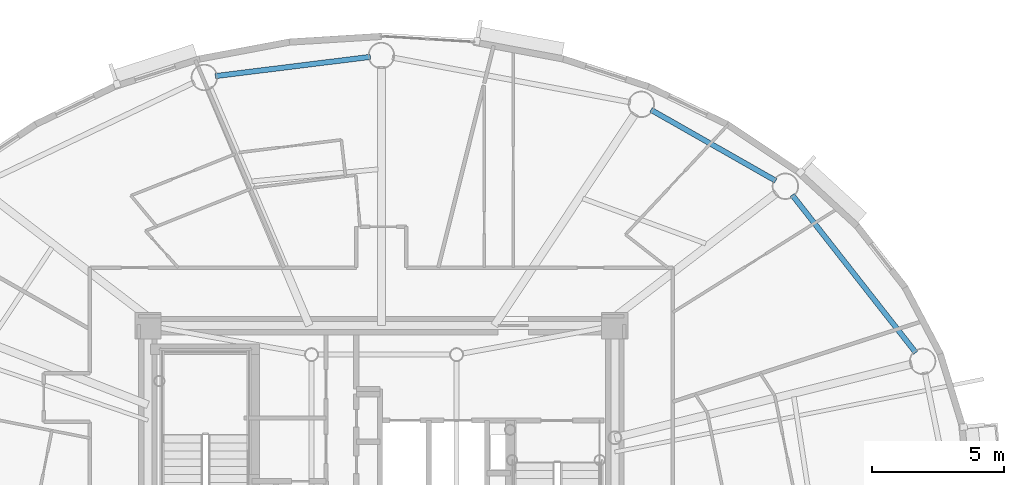
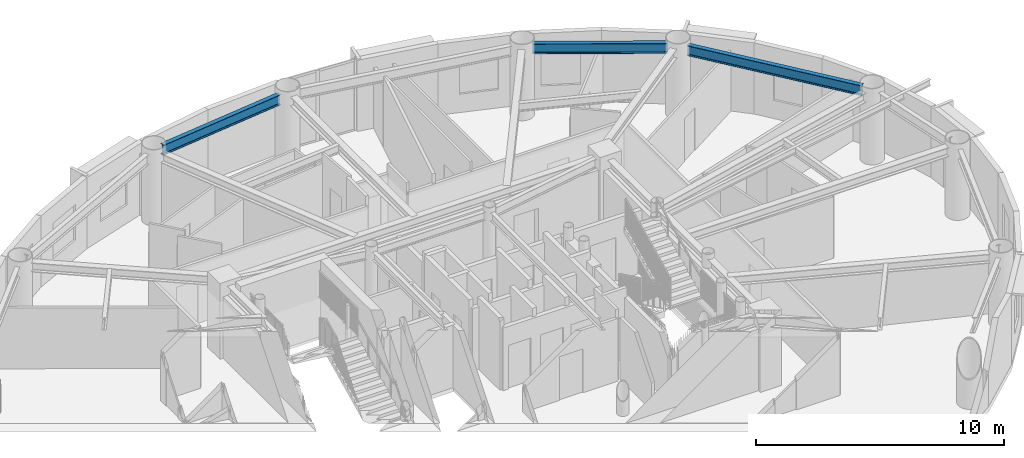
# One storey, part 3 of 17: 3 beams.
"""IFC4 building model written with IfcOpenShell, lengths in metres."""

from ifc_helpers import new_model, si_unit, direction, frame, origin, origin_2d, place, context, subcontext, project, spatial, i_section, extrude, material, material_profile, profile_set, type_object, element, save


model = new_model("IFC4")

# Units and contexts
model_context = context("Model", 3, precision=1e-05, world=origin(), true_north=direction((0.0, 1.0)))
body_context = subcontext(model_context, "Body", "Model", "MODEL_VIEW")
ifc_project = project(units=[si_unit("LENGTHUNIT", "METRE"), si_unit("AREAUNIT", "SQUARE_METRE"), si_unit("VOLUMEUNIT", "CUBIC_METRE"), si_unit("PLANEANGLEUNIT", "RADIAN"), si_unit("MASSUNIT", "GRAM", prefix="KILO")], contexts=[model_context])

# Site, building, storey
site_placement = place(None, origin())
site = spatial("IfcSite", under=ifc_project, at=site_placement, CompositionType="ELEMENT")
building_placement = place(site_placement, origin())
building = spatial("IfcBuilding", under=site, at=building_placement, Name="Linh Dai School and Residence Tower", CompositionType="ELEMENT")
storey_placement = place(building_placement, frame((0.0, 0.0, 299.25)))
storey = spatial("IfcBuildingStorey", under=building, at=storey_placement, Name="L74", CompositionType="ELEMENT", Elevation=299.25)

# Beams
ifc_material = material(Name="Structural Steel S355JR", Category="steel")
ifc_material_profile = material_profile(ifc_material, i_section(OverallWidth=0.199951171875, OverallDepth=0.5, WebThickness=0.01025390625, FlangeThickness=0.01611328125, FilletRadius=0.02099609375, at=origin_2d()), Name="IPE 500")
ifc_profile_set = profile_set([ifc_material_profile], Name="Structural Steel S355JR")
beam_type = type_object("IfcBeamType", Name="BM-RB50", PredefinedType="BEAM", material=ifc_profile_set)
beam_1_placement = place(storey_placement, frame((56.259521484375, 32.425048828125, 3.25), z_axis=(-0.616882739554, 0.787055071542, 0.0), x_axis=(-0.787055071542, -0.616882739554, 0.0)))
element("IfcBeam", 1, at=beam_1_placement, inside=storey, type_object=beam_type, Name="L74 Perimeter Elliptical Ring Beam 02", PredefinedType="BEAM", context=body_context, shape_type="SweptSolid", body=[
    extrude(i_section(OverallWidth=0.199951171875, OverallDepth=0.5, WebThickness=0.01025390625, FlangeThickness=0.01611328125, FilletRadius=0.02099609375, at=origin_2d()), origin(), (0.0, 0.0, 1.0), 7.59521484375),
])
beam_2_placement = place(storey_placement, frame((50.949951171875, 38.94091796875, 3.25), z_axis=(-0.869265548778, 0.494345431564, 0.0), x_axis=(-0.494345431564, -0.869265548778, 0.0)))
element("IfcBeam", 2, at=beam_2_placement, inside=storey, type_object=beam_type, Name="L74 Perimeter Elliptical Ring Beam 03", PredefinedType="BEAM", context=body_context, shape_type="SweptSolid", body=[
    extrude(i_section(OverallWidth=0.199951171875, OverallDepth=0.5, WebThickness=0.01025390625, FlangeThickness=0.01611328125, FilletRadius=0.02099609375, at=origin_2d()), origin(), (0.0, 0.0, 1.0), 5.44189453125),
])
beam_3_placement = place(storey_placement, frame((35.583251953125, 43.638427734375, 3.25), z_axis=(-0.992399134443, -0.123060789678, 0.0), x_axis=(0.123060789678, -0.992399134443, 0.0)))
element("IfcBeam", 3, at=beam_3_placement, inside=storey, type_object=beam_type, Name="L74 Perimeter Elliptical Ring Beam 05", PredefinedType="BEAM", context=body_context, shape_type="SweptSolid", body=[
    extrude(i_section(OverallWidth=0.199951171875, OverallDepth=0.5, WebThickness=0.01025390625, FlangeThickness=0.01611328125, FilletRadius=0.02099609375, at=origin_2d()), origin(), (0.0, 0.0, 1.0), 5.923828125),
])

save(model, "model.ifc")
